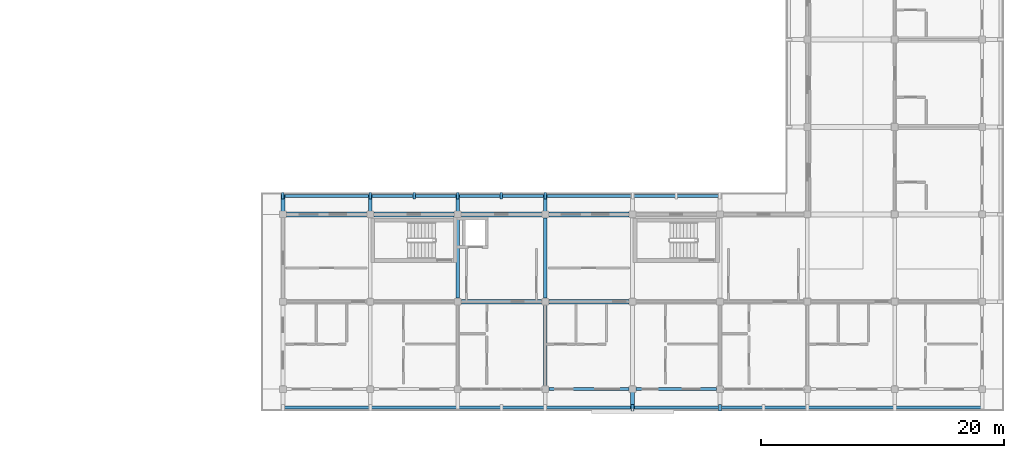
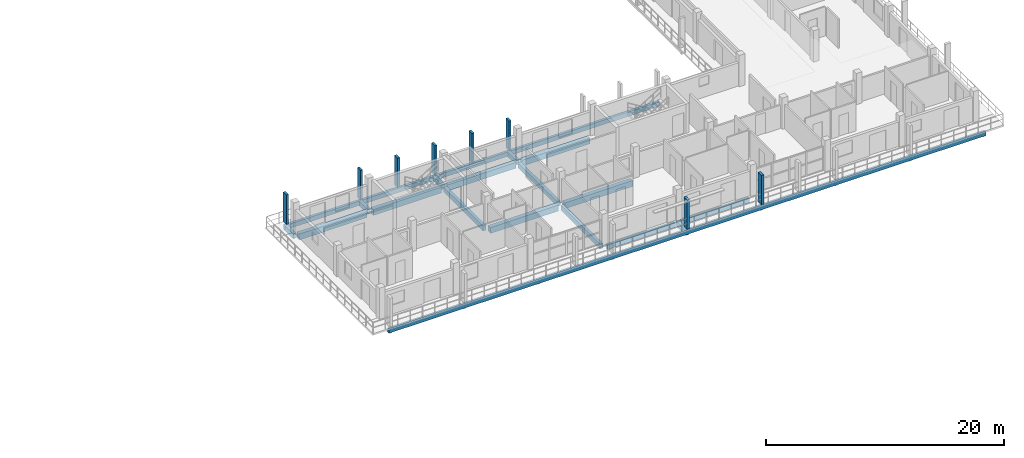
# One storey, part 20 of 73: 18 beams, 8 members.
"""IFC4 building model written with IfcOpenShell, lengths in metres."""

from ifc_helpers import new_model, si_unit, direction, frame, origin, origin_2d, place, context, subcontext, project, spatial, rectangle, extrude, material, material_profile, profile_set, type_object, element, save


model = new_model("IFC4")

# Units and contexts
model_context = context("Model", 3, precision=1e-05, world=origin(), true_north=direction((0.0, 1.0)))
body_context = subcontext(model_context, "Body", "Model", "MODEL_VIEW")
ifc_project = project(units=[si_unit("LENGTHUNIT", "METRE"), si_unit("AREAUNIT", "SQUARE_METRE"), si_unit("VOLUMEUNIT", "CUBIC_METRE"), si_unit("PLANEANGLEUNIT", "RADIAN"), si_unit("MASSUNIT", "GRAM", prefix="KILO")], contexts=[model_context])

# Site, building, storey
site_placement = place(None, origin())
site = spatial("IfcSite", under=ifc_project, at=site_placement, CompositionType="ELEMENT")
building_placement = place(site_placement, origin())
building = spatial("IfcBuilding", under=site, at=building_placement, Name="Suanplinth Sawtooth Commons", CompositionType="ELEMENT")
storey_placement = place(building_placement, frame((0.0, 0.0, 21.89990234375)))
storey = spatial("IfcBuildingStorey", under=building, at=storey_placement, Name="L06", CompositionType="ELEMENT", Elevation=21.89990234375)

# Beams
ifc_material_1 = material(Name="Precast concrete C40/50", Category="concrete")
ifc_material_profile_1 = material_profile(ifc_material_1, rectangle(XDim=0.39990234375, YDim=0.60009765625, at=origin_2d()), Name="PC-GDR 400x600")
ifc_profile_set_1 = profile_set([ifc_material_profile_1], Name="Precast concrete C40/50")
beam_type_1 = type_object("IfcBeamType", Name="B-05", PredefinedType="USERDEFINED", material=ifc_profile_set_1)
beam_1_placement = place(storey_placement, frame((129.89990234375, 14.39990234375, -0.539794921875), z_axis=(1.0, 0.0, 0.0), x_axis=(0.0, 1.0, 0.0)))
element("IfcBeam", 1, at=beam_1_placement, inside=storey, type_object=beam_type_1, Name="BMX-L06-C-18-2", ObjectType="GIRDER", PredefinedType="USERDEFINED", context=body_context, shape_type="SweptSolid", body=[
    extrude(rectangle(XDim=0.39990234375, YDim=0.60009765625, at=origin_2d()), origin(), (0.0, 0.0, 1.0), 6.60009765625),
])
for number, where, z_axis, x_axis, name in (
    (2, (137.10009765625, 14.39990234375, -0.539794921875), (1.0, 0.0, 0.0), (0.0, 1.0, 0.0), "BMX-L06-C-19-2"),
    (3, (144.300048828125, 7.199951171875, -0.539794921875), (1.0, 0.0, 0.0), (0.0, 1.0, 0.0), "BMX-L06-C-20-1"),
    (4, (144.300048828125, 14.39990234375, -0.539794921875), (1.0, 0.0, 0.0), (0.0, 1.0, 0.0), "BMX-L06-C-20-2"),
):
    element("IfcBeam", number, at=place(storey_placement, frame(where, z_axis=z_axis, x_axis=x_axis)), inside=storey, type_object=beam_type_1, Name=name, ObjectType="GIRDER", PredefinedType="USERDEFINED", context=body_context, shape_type="SweptSolid", body=[
        extrude(rectangle(XDim=0.39990234375, YDim=0.60009765625, at=origin_2d()), origin(), (0.0, 0.0, 1.0), 6.599853515625),
    ])
for number, where, z_axis, x_axis, name in (
    (5, (151.5, 7.199951171875, -0.539794921875), (1.0, 0.0, 0.0), (0.0, 1.0, 0.0), "BMX-L06-C-21-1"),
    (6, (151.5, 14.39990234375, -0.539794921875), (1.0, 0.0, 0.0), (0.0, 1.0, 0.0), "BMX-L06-C-21-2"),
):
    element("IfcBeam", number, at=place(storey_placement, frame(where, z_axis=z_axis, x_axis=x_axis)), inside=storey, type_object=beam_type_1, Name=name, ObjectType="GIRDER", PredefinedType="USERDEFINED", context=body_context, shape_type="SweptSolid", body=[
        extrude(rectangle(XDim=0.39990234375, YDim=0.60009765625, at=origin_2d()), origin(), (0.0, 0.0, 1.0), 6.60009765625),
    ])
ifc_material_profile_2 = material_profile(ifc_material_1, rectangle(XDim=0.300048828125, YDim=0.5, at=origin_2d()), Name="PC-BM 300x500")
ifc_profile_set_2 = profile_set([ifc_material_profile_2], Name="Precast concrete C40/50")
beam_type_2 = type_object("IfcBeamType", Name="B-07", PredefinedType="BEAM", material=ifc_profile_set_2)
beam_2_placement = place(storey_placement, frame((144.0, 7.5, -0.489990234375), z_axis=(0.0, 1.0, 0.0), x_axis=(-1.0, 0.0, 0.0)))
element("IfcBeam", 7, at=beam_2_placement, inside=storey, type_object=beam_type_2, Name="BMY-L06-C-20-1", PredefinedType="BEAM", context=body_context, shape_type="SweptSolid", body=[
    extrude(rectangle(XDim=0.300048828125, YDim=0.5, at=origin_2d()), origin(), (0.0, 0.0, 1.0), 6.60009765625),
])
beam_3_placement = place(storey_placement, frame((151.199951171875, 0.300048828125, -0.489990234375), z_axis=(0.0, 1.0, 0.0), x_axis=(-1.0, 0.0, 0.0)))
element("IfcBeam", 8, at=beam_3_placement, inside=storey, type_object=beam_type_2, Name="BMY-L06-C-21-0", PredefinedType="BEAM", context=body_context, shape_type="SweptSolid", body=[
    extrude(rectangle(XDim=0.300048828125, YDim=0.5, at=origin_2d()), origin(), (0.0, 0.0, 1.0), 6.599853515625),
])
beam_4_placement = place(storey_placement, frame((151.199951171875, 7.5, -0.489990234375), z_axis=(0.0, 1.0, 0.0), x_axis=(-1.0, 0.0, 0.0)))
element("IfcBeam", 9, at=beam_4_placement, inside=storey, type_object=beam_type_2, Name="BMY-L06-C-21-1", PredefinedType="BEAM", context=body_context, shape_type="SweptSolid", body=[
    extrude(rectangle(XDim=0.300048828125, YDim=0.5, at=origin_2d()), origin(), (0.0, 0.0, 1.0), 6.60009765625),
])
beam_5_placement = place(storey_placement, frame((158.39990234375, 0.0, -0.429931640625), z_axis=(0.0, -1.0, 0.0), x_axis=(1.0, 0.0, 0.0)))
element("IfcBeam", 10, at=beam_5_placement, inside=storey, type_object=beam_type_2, Name="Balcony Outrigger L06-C-S-22", PredefinedType="BEAM", context=body_context, shape_type="SweptSolid", body=[
    extrude(rectangle(XDim=0.300048828125, YDim=0.5, at=origin_2d()), origin(), (0.0, 0.0, 1.0), 1.639892578125),
])
for number, where, z_axis, x_axis, name in (
    (11, (129.60009765625, 14.39990234375, -0.4248046875), (0.0, 1.0, 0.0), (-1.0, 0.0, 0.0), "Balcony Outrigger L06-C-NC-18"),
    (12, (136.800048828125, 14.39990234375, -0.4248046875), (0.0, 1.0, 0.0), (-1.0, 0.0, 0.0), "Balcony Outrigger L06-C-NC-19"),
    (13, (144.0, 14.39990234375, -0.4248046875), (0.0, 1.0, 0.0), (-1.0, 0.0, 0.0), "Balcony Outrigger L06-C-NC-20"),
    (14, (151.199951171875, 14.39990234375, -0.4248046875), (0.0, 1.0, 0.0), (-1.0, 0.0, 0.0), "Balcony Outrigger L06-C-NC-21"),
):
    element("IfcBeam", number, at=place(storey_placement, frame(where, z_axis=z_axis, x_axis=x_axis)), inside=storey, type_object=beam_type_2, Name=name, PredefinedType="BEAM", context=body_context, shape_type="SweptSolid", body=[
        extrude(rectangle(XDim=0.300048828125, YDim=0.5, at=origin_2d()), origin(), (0.0, 0.0, 1.0), 1.64013671875),
    ])
ifc_material_profile_3 = material_profile(ifc_material_1, rectangle(XDim=0.25, YDim=0.449951171875, at=origin_2d()), Name="PC-SP 250x450")
ifc_profile_set_3 = profile_set([ifc_material_profile_3], Name="Precast concrete C40/50")
beam_type_3 = type_object("IfcBeamType", Name="B-09", PredefinedType="SPANDREL", material=ifc_profile_set_3)
for number, where, z_axis, x_axis, name in (
    (15, (151.5, 0.0, -0.46484375), (1.0, 0.0, 0.0), (0.0, 1.0, 0.0), "BMX-L06-C-21-0"),
    (16, (158.699951171875, 0.0, -0.46484375), (1.0, 0.0, 0.0), (0.0, 1.0, 0.0), "BMX-L06-C-22-0"),
):
    element("IfcBeam", number, at=place(storey_placement, frame(where, z_axis=z_axis, x_axis=x_axis)), inside=storey, type_object=beam_type_3, Name=name, PredefinedType="SPANDREL", context=body_context, shape_type="SweptSolid", body=[
        extrude(rectangle(XDim=0.25, YDim=0.449951171875, at=origin_2d()), origin(), (0.0, 0.0, 1.0), 6.60009765625),
    ])
beam_6_placement = place(storey_placement, frame((129.449951171875, -1.52001953125, -0.40478515625), z_axis=(1.0, 0.0, 0.0), x_axis=(0.0, 1.0, 0.0)))
element("IfcBeam", 17, at=beam_6_placement, inside=storey, type_object=beam_type_3, Name="Balcony Edge Fascia L06-C-S", PredefinedType="SPANDREL", context=body_context, shape_type="SweptSolid", body=[
    extrude(rectangle(XDim=0.25, YDim=0.449951171875, at=origin_2d()), origin(), (0.0, 0.0, 1.0), 57.900146484375),
])
beam_7_placement = place(storey_placement, frame((129.449951171875, 15.919921875, -0.39990234375), z_axis=(1.0, 0.0, 0.0), x_axis=(0.0, 1.0, 0.0)))
element("IfcBeam", 18, at=beam_7_placement, inside=storey, type_object=beam_type_3, Name="Balcony Edge Fascia L06-C-NC", PredefinedType="SPANDREL", context=body_context, shape_type="SweptSolid", body=[
    extrude(rectangle(XDim=0.25, YDim=0.449951171875, at=origin_2d()), origin(), (0.0, 0.0, 1.0), 36.300048828125),
])

# Members
ifc_material_2 = material(Name="Pigmented precast concrete C40/50", Category="concrete")
ifc_material_profile_4 = material_profile(ifc_material_2, rectangle(XDim=0.25, YDim=0.5400390625, at=origin_2d()), Name="PC-FIN 250x540")
ifc_profile_set_4 = profile_set([ifc_material_profile_4], Name="Pigmented precast concrete C40/50")
member_type_1 = type_object("IfcMemberType", Name="M-11", PredefinedType="USERDEFINED", material=ifc_profile_set_4)
for number, where, z_axis, x_axis, name in (
    (19, (158.39990234375, -1.52001953125, 0.0), (0.0, 0.0, 1.0), (1.0, 0.0, 0.0), "Upright Solar Blade L06-C-S-05"),
    (20, (165.60009765625, -1.52001953125, 0.0), (0.0, 0.0, 1.0), (1.0, 0.0, 0.0), "Upright Solar Blade L06-C-S-06"),
):
    element("IfcMember", number, at=place(storey_placement, frame(where, z_axis=z_axis, x_axis=x_axis)), inside=storey, type_object=member_type_1, Name=name, ObjectType="SHADING FIN", PredefinedType="USERDEFINED", context=body_context, shape_type="SweptSolid", body=[
        extrude(rectangle(XDim=0.25, YDim=0.5400390625, at=origin_2d()), origin(), (0.0, 0.0, 1.0), 3.030029296875),
    ])
ifc_material_profile_5 = material_profile(ifc_material_2, rectangle(XDim=0.2099609375, YDim=0.52001953125, at=origin_2d()), Name="PC-FIN 210x520")
ifc_profile_set_5 = profile_set([ifc_material_profile_5], Name="Pigmented precast concrete C40/50")
member_type_2 = type_object("IfcMemberType", Name="M-12", PredefinedType="USERDEFINED", material=ifc_profile_set_5)
for number, where, z_axis, x_axis, name in (
    (21, (129.60009765625, 15.919921875, 0.0), (0.0, 0.0, 1.0), (1.0, 0.0, 0.0), "Upright Solar Blade L06-C-NC-15"),
    (22, (136.800048828125, 15.919921875, 0.0), (0.0, 0.0, 1.0), (1.0, 0.0, 0.0), "Upright Solar Blade L06-C-NC-16"),
    (23, (140.39990234375, 15.919921875, 0.0), (0.0, 0.0, 1.0), (1.0, 0.0, 0.0), "Upright Solar Blade L06-C-NC-17"),
    (24, (144.0, 15.919921875, 0.0), (0.0, 0.0, 1.0), (1.0, 0.0, 0.0), "Upright Solar Blade L06-C-NC-18"),
    (25, (147.60009765625, 15.919921875, 0.0), (0.0, 0.0, 1.0), (1.0, 0.0, 0.0), "Upright Solar Blade L06-C-NC-19"),
    (26, (151.199951171875, 15.919921875, 0.0), (0.0, 0.0, 1.0), (1.0, 0.0, 0.0), "Upright Solar Blade L06-C-NC-20"),
):
    element("IfcMember", number, at=place(storey_placement, frame(where, z_axis=z_axis, x_axis=x_axis)), inside=storey, type_object=member_type_2, Name=name, ObjectType="SHADING FIN", PredefinedType="USERDEFINED", context=body_context, shape_type="SweptSolid", body=[
        extrude(rectangle(XDim=0.2099609375, YDim=0.52001953125, at=origin_2d()), origin(), (0.0, 0.0, 1.0), 3.030029296875),
    ])

save(model, "model.ifc")
